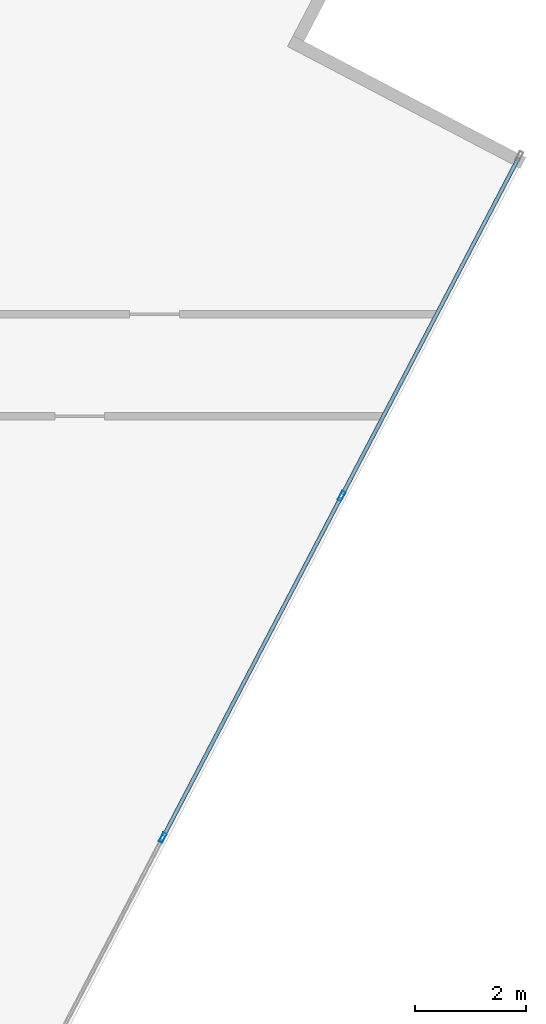
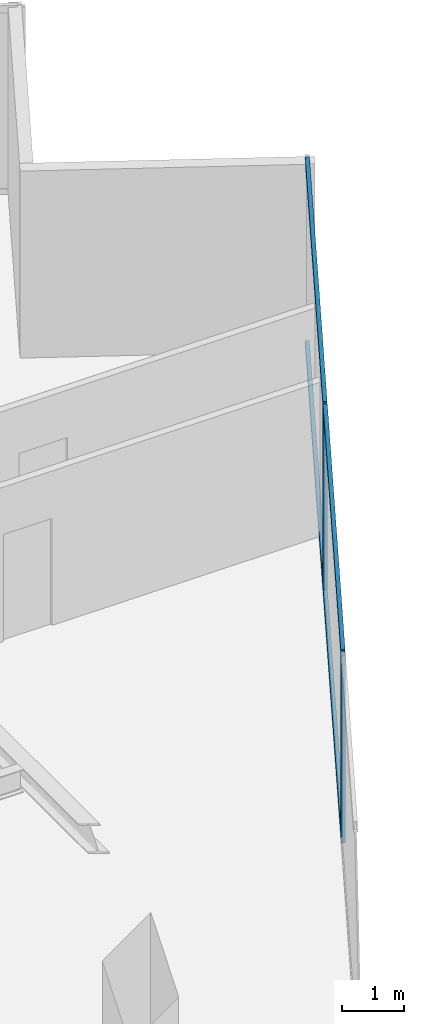
# One storey, part 12 of 27: 6 members, 1 element without a shape of its own.
"""IFC4 building model written with IfcOpenShell, lengths in metres."""

from ifc_helpers import new_model, si_unit, direction, frame, origin, origin_2d, place, context, subcontext, project, spatial, hollow_rectangle, extrude, source, transform, mapped, material, material_profile, profile_set, type_object, type_shapes, element, aggregate, save


model = new_model("IFC4")

# Units and contexts
model_context = context("Model", 3, precision=1e-05, world=origin(), true_north=direction((0.0, 1.0)))
body_context = subcontext(model_context, "Body", "Model", "MODEL_VIEW")
ifc_project = project(units=[si_unit("LENGTHUNIT", "METRE"), si_unit("AREAUNIT", "SQUARE_METRE"), si_unit("VOLUMEUNIT", "CUBIC_METRE"), si_unit("PLANEANGLEUNIT", "RADIAN"), si_unit("MASSUNIT", "GRAM", prefix="KILO")], contexts=[model_context])

# Site, building, storey
site_placement = place(None, origin())
site = spatial("IfcSite", under=ifc_project, at=site_placement, CompositionType="ELEMENT")
building_placement = place(site_placement, origin())
building = spatial("IfcBuilding", under=site, at=building_placement, Name="Krantzveldt Concourse Tower", CompositionType="ELEMENT")
storey_placement = place(building_placement, frame((0.0, 0.0, 158.050048828125)))
storey = spatial("IfcBuildingStorey", under=building, at=storey_placement, Name="L38", CompositionType="ELEMENT", Elevation=158.050048828125)

# Curtain wall, members
ifc_material = material(Name="Anodised aluminium 6063-T6", Category="aluminium")
curtain_wall_type = type_object("IfcCurtainWallType", Name="CW3", PredefinedType="USERDEFINED", material=ifc_material)
curtain_wall_placement = place(storey_placement, origin())
curtain_wall = element("IfcCurtainWall", 1, at=curtain_wall_placement, inside=storey, type_object=curtain_wall_type, Name="CW-L38-F07", ObjectType="UNITISED CURTAIN WALL", PredefinedType="USERDEFINED")
ifc_material_profile_1 = material_profile(ifc_material, hollow_rectangle(XDim=0.070068359375, YDim=0.179931640625, WallThickness=0.0048828125, at=origin_2d()), Name="Anodised aluminium 6063-T6", Category="aluminium")
ifc_profile_set_1 = profile_set([ifc_material_profile_1], Name="Anodised aluminium 6063-T6 - ALU-MULL 180x70x5")
member_type_1 = type_object("IfcMemberType", Name="CW-MUL-180", PredefinedType="MULLION", material=ifc_profile_set_1)
shared_shape_1 = source(origin(), body_context, "Body", "SweptSolid", [
    extrude(hollow_rectangle(XDim=0.070068359375, YDim=0.179931640625, WallThickness=0.0048828125, at=origin_2d()), origin(), (0.0, 0.0, 1.0), 3.669921875),
])
type_shapes(member_type_1, [shared_shape_1])
member_1_placement = place(storey_placement, frame((56.937255859375, 19.67041015625, 0.0), z_axis=(0.0, 0.0, 1.0), x_axis=(-0.886001265743, 0.463682819502, 0.0)))
member_1 = element("IfcMember", 2, at=member_1_placement, type_object=member_type_1, Name="CW-Z34 mullion 4", PredefinedType="MULLION", context=body_context, shape_type="MappedRepresentation", body=[
    mapped(shared_shape_1, transform((0.0, 0.0, 0.0), x_axis=(1.0, 0.0, 0.0), y_axis=(0.0, 1.0, 0.0), z_axis=(0.0, 0.0, 1.0), scale=1.0)),
])
member_2_placement = place(storey_placement, frame((60.16455078125, 25.8369140625, 0.0), z_axis=(0.0, 0.0, 1.0), x_axis=(-0.886001265743, 0.463682819502, 0.0)))
member_2 = element("IfcMember", 3, at=member_2_placement, type_object=member_type_1, Name="CW-Z34 mullion 5", PredefinedType="MULLION", context=body_context, shape_type="MappedRepresentation", body=[
    mapped(shared_shape_1, transform((0.0, 0.0, 0.0), x_axis=(1.0, 0.0, 0.0), y_axis=(0.0, 1.0, 0.0), z_axis=(0.0, 0.0, 1.0), scale=1.0)),
])
ifc_material_profile_2 = material_profile(ifc_material, hollow_rectangle(XDim=0.070068359375, YDim=0.139892578125, WallThickness=0.0048828125, at=origin_2d()), Name="Anodised aluminium 6063-T6", Category="aluminium")
ifc_profile_set_2 = profile_set([ifc_material_profile_2], Name="Anodised aluminium 6063-T6 - ALU-TRAN 140x70x5")
member_type_2 = type_object("IfcMemberType", Name="CW-TRN-150", PredefinedType="USERDEFINED", material=ifc_profile_set_2)
shared_shape_2 = source(origin(), body_context, "Body", "SweptSolid", [
    extrude(hollow_rectangle(XDim=0.070068359375, YDim=0.139892578125, WallThickness=0.0048828125, at=origin_2d()), origin(), (0.0, 0.0, 1.0), 6.85498046875),
])
member_3_placement = place(storey_placement, frame((60.1806640625, 25.867919921875, 0.034912109375), z_axis=(0.463704875487, 0.885989722542, 0.0), x_axis=(-0.885989722542, 0.463704875487, 0.0)))
member_3 = element("IfcMember", 4, at=member_3_placement, type_object=member_type_2, Name="CW-Z34 transom 5.1", ObjectType="TRANSOM", PredefinedType="USERDEFINED", context=body_context, shape_type="MappedRepresentation", body=[
    mapped(shared_shape_2, transform((0.0, 0.0, 0.0), x_axis=(1.0, 0.0, 0.0), y_axis=(0.0, 1.0, 0.0), z_axis=(0.0, 0.0, 1.0), scale=1.0)),
])
member_4_placement = place(storey_placement, frame((60.1806640625, 25.867919921875, 3.635009765625), z_axis=(0.463704875487, 0.885989722542, 0.0), x_axis=(-0.885989722542, 0.463704875487, 0.0)))
member_4 = element("IfcMember", 5, at=member_4_placement, type_object=member_type_2, Name="CW-Z34 transom 5.2", ObjectType="TRANSOM", PredefinedType="USERDEFINED", context=body_context, shape_type="MappedRepresentation", body=[
    mapped(shared_shape_2, transform((0.0, 0.0, 0.0), x_axis=(1.0, 0.0, 0.0), y_axis=(0.0, 1.0, 0.0), z_axis=(0.0, 0.0, 1.0), scale=1.0)),
])
shared_shape_3 = source(origin(), body_context, "Body", "SweptSolid", [
    extrude(hollow_rectangle(XDim=0.070068359375, YDim=0.139892578125, WallThickness=0.0048828125, at=origin_2d()), origin(), (0.0, 0.0, 1.0), 6.889892578125),
])
type_shapes(member_type_2, [shared_shape_2, shared_shape_3])
member_5_placement = place(storey_placement, frame((56.95361328125, 19.701416015625, 0.034912109375), z_axis=(0.463664024422, 0.886011101769, 0.0), x_axis=(-0.886011101769, 0.463664024422, 0.0)))
member_5 = element("IfcMember", 6, at=member_5_placement, type_object=member_type_2, Name="CW-Z34 transom 4.1", ObjectType="TRANSOM", PredefinedType="USERDEFINED", context=body_context, shape_type="MappedRepresentation", body=[
    mapped(shared_shape_3, transform((0.0, 0.0, 0.0), x_axis=(1.0, 0.0, 0.0), y_axis=(0.0, 1.0, 0.0), z_axis=(0.0, 0.0, 1.0), scale=1.0)),
])
member_6_placement = place(storey_placement, frame((56.95361328125, 19.701416015625, 3.635009765625), z_axis=(0.463664024422, 0.886011101769, 0.0), x_axis=(-0.886011101769, 0.463664024422, 0.0)))
member_6 = element("IfcMember", 7, at=member_6_placement, type_object=member_type_2, Name="CW-Z34 transom 4.2", ObjectType="TRANSOM", PredefinedType="USERDEFINED", context=body_context, shape_type="MappedRepresentation", body=[
    mapped(shared_shape_3, transform((0.0, 0.0, 0.0), x_axis=(1.0, 0.0, 0.0), y_axis=(0.0, 1.0, 0.0), z_axis=(0.0, 0.0, 1.0), scale=1.0)),
])
aggregate(curtain_wall, [member_1, member_2, member_5, member_6, member_3, member_4])

save(model, "model.ifc")
